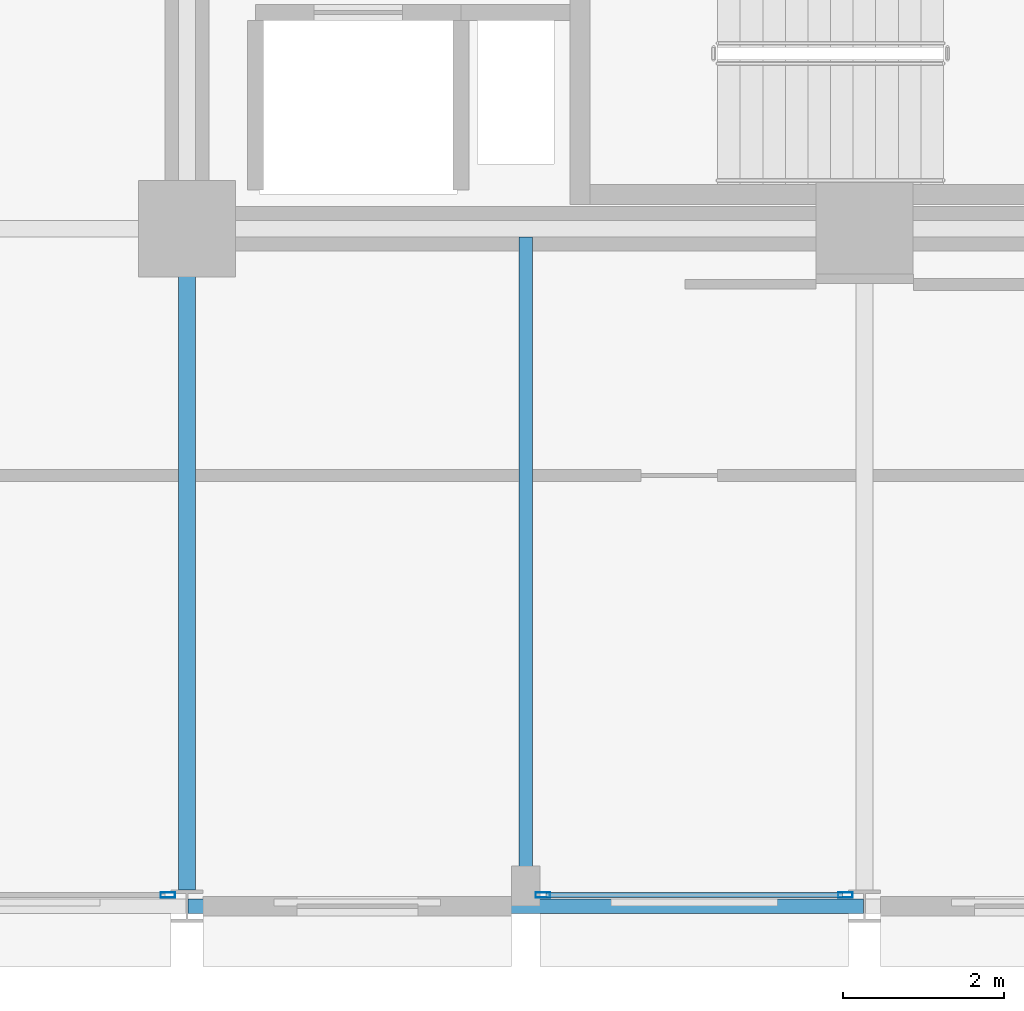
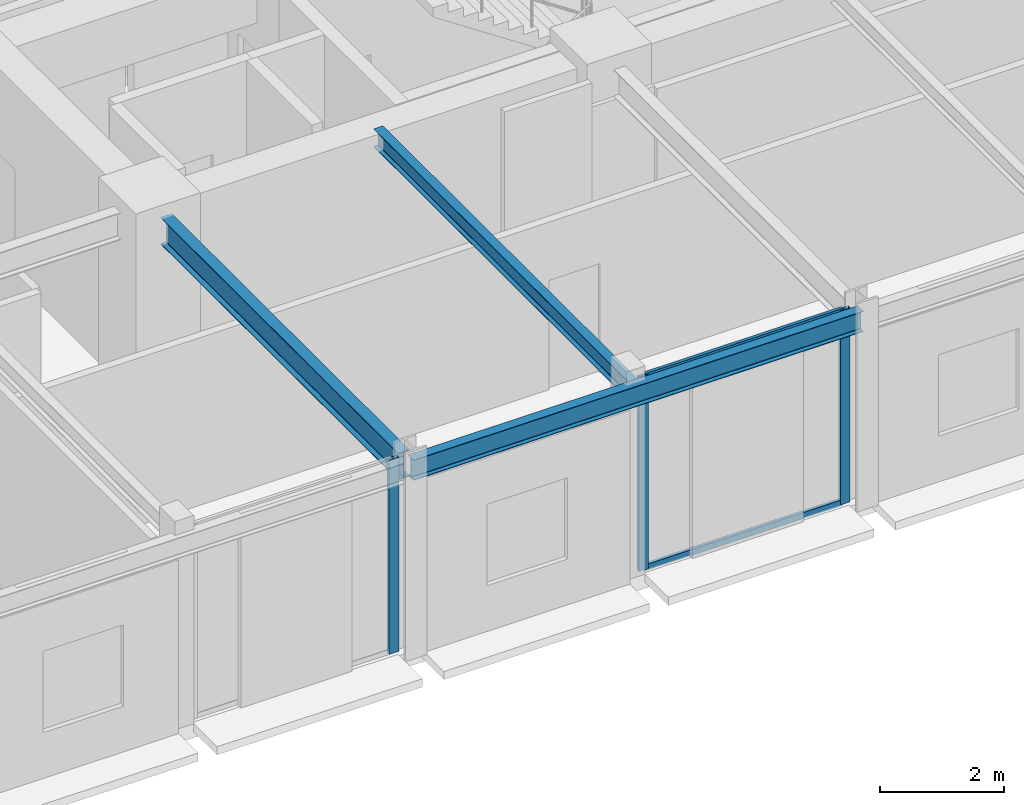
# One storey, part 8 of 39: 5 members, 3 beams, 2 elements without a shape of their own.
"""IFC4 building model written with IfcOpenShell, lengths in metres."""

from ifc_helpers import new_model, si_unit, direction, frame, origin, origin_2d, place, context, subcontext, project, spatial, hollow_rectangle, i_section, extrude, material, layer, layer_set, material_profile, profile_set, type_object, element, aggregate, save


model = new_model("IFC4")

# Units and contexts
model_context = context("Model", 3, precision=1e-05, world=origin(), true_north=direction((0.0, 1.0)))
body_context = subcontext(model_context, "Body", "Model", "MODEL_VIEW")
ifc_project = project(units=[si_unit("LENGTHUNIT", "METRE"), si_unit("AREAUNIT", "SQUARE_METRE"), si_unit("VOLUMEUNIT", "CUBIC_METRE"), si_unit("PLANEANGLEUNIT", "RADIAN"), si_unit("MASSUNIT", "GRAM", prefix="KILO")], contexts=[model_context])

# Site, building, storey
site_placement = place(None, origin())
site = spatial("IfcSite", under=ifc_project, at=site_placement, CompositionType="ELEMENT")
building_placement = place(site_placement, origin())
building = spatial("IfcBuilding", under=site, at=building_placement, Name="Nerrivon Quay Data Exchange", CompositionType="ELEMENT")
storey_placement = place(building_placement, frame((0.0, 0.0, 104.89990234375)))
storey = spatial("IfcBuildingStorey", under=building, at=storey_placement, Name="L24", CompositionType="ELEMENT", Elevation=104.89990234375)

# Beams
ifc_material_1 = material(Name="Steel Grade 350", Category="steel")
ifc_material_profile_1 = material_profile(ifc_material_1, i_section(OverallWidth=0.208984375, OverallDepth=0.528076171875, WebThickness=0.009521484375, FlangeThickness=0.01318359375, FilletRadius=0.013916015625, at=origin_2d()), Name="530UB82.0")
ifc_profile_set_1 = profile_set([ifc_material_profile_1], Name="Steel Grade 350")
beam_type_1 = type_object("IfcBeamType", Name="BM-G4-530UB82", PredefinedType="BEAM", material=ifc_profile_set_1)
beam_1_placement = place(storey_placement, frame((16.800048828125, 0.199951171875, 3.56103515625), z_axis=(0.0, 1.0, 0.0), x_axis=(-1.0, 0.0, 0.0)))
element("IfcBeam", 1, at=beam_1_placement, inside=storey, type_object=beam_type_1, Name="L24 NS Girder X=16.8 (0.0..8.4)", PredefinedType="BEAM", context=body_context, shape_type="SweptSolid", body=[
    extrude(i_section(OverallWidth=0.208984375, OverallDepth=0.528076171875, WebThickness=0.009521484375, FlangeThickness=0.01318359375, FilletRadius=0.013916015625, at=origin_2d()), origin(), (0.0, 0.0, 1.0), 7.66015625),
])
ifc_material_profile_2 = material_profile(ifc_material_1, i_section(OverallWidth=0.1708984375, OverallDepth=0.35595703125, WebThickness=0.00732421875, FlangeThickness=0.011474609375, FilletRadius=0.011474609375, at=origin_2d()), Name="360UB50.7")
ifc_profile_set_2 = profile_set([ifc_material_profile_2], Name="Steel Grade 350")
beam_type_2 = type_object("IfcBeamType", Name="BM-J4-360UB51", PredefinedType="JOIST", material=ifc_profile_set_2)
beam_2_placement = place(storey_placement, frame((21.0, 0.089111328125, 3.647216796875), z_axis=(0.0, 1.0, 0.0), x_axis=(-1.0, 0.0, 0.0)))
element("IfcBeam", 2, at=beam_2_placement, inside=storey, type_object=beam_type_2, Name="L24 Secondary Joist X=21.0 (0.0..8.4)", PredefinedType="JOIST", context=body_context, shape_type="SweptSolid", body=[
    extrude(i_section(OverallWidth=0.1708984375, OverallDepth=0.35595703125, WebThickness=0.00732421875, FlangeThickness=0.011474609375, FilletRadius=0.011474609375, at=origin_2d()), origin(), (0.0, 0.0, 1.0), 8.206298828125),
])
ifc_material_profile_3 = material_profile(ifc_material_1, i_section(OverallWidth=0.177978515625, OverallDepth=0.403076171875, WebThickness=0.007568359375, FlangeThickness=0.010986328125, FilletRadius=0.011474609375, at=origin_2d()), Name="410UB53.7")
ifc_profile_set_3 = profile_set([ifc_material_profile_3], Name="Steel Grade 350")
beam_type_3 = type_object("IfcBeamType", Name="BM-SP2-410UB54", PredefinedType="SPANDREL", material=ifc_profile_set_3)
beam_3_placement = place(storey_placement, frame((16.8125, 0.0, 3.62353515625), z_axis=(1.0, 0.0, 0.0), x_axis=(0.0, 1.0, 0.0)))
element("IfcBeam", 3, at=beam_3_placement, inside=storey, type_object=beam_type_3, Name="L24 EW Girder Y=0.0 (16.8..25.2)", PredefinedType="SPANDREL", context=body_context, shape_type="SweptSolid", body=[
    extrude(i_section(OverallWidth=0.177978515625, OverallDepth=0.403076171875, WebThickness=0.007568359375, FlangeThickness=0.010986328125, FilletRadius=0.011474609375, at=origin_2d()), origin(), (0.0, 0.0, 1.0), 8.375),
])

# Curtain wall, members
ifc_material_2 = material(Name="Anodised aluminium 6063-T6", Category="aluminium")
ifc_layer = layer(ifc_material_2, 0.2099609375)
ifc_layer_set = layer_set([ifc_layer], Name="Anodised aluminium 6063-T6")
curtain_wall_type = type_object("IfcCurtainWallType", Name="CW-SYS-02", PredefinedType="NOTDEFINED", material=ifc_layer_set)
curtain_wall_1_placement = place(storey_placement, origin())
curtain_wall_1 = element("IfcCurtainWall", 4, at=curtain_wall_1_placement, inside=storey, type_object=curtain_wall_type, Name="L24 Unitised Curtain Wall 10", PredefinedType="NOTDEFINED")
ifc_material_profile_4 = material_profile(ifc_material_2, hollow_rectangle(XDim=0.06494140625, YDim=0.179931640625, WallThickness=0.00341796875, at=origin_2d()), Name="ALU-MULL-180x65")
ifc_profile_set_4 = profile_set([ifc_material_profile_4], Name="Anodised aluminium 6063-T6")
member_type_1 = type_object("IfcMemberType", Name="CWM-180x65", PredefinedType="MULLION", material=ifc_profile_set_4)
member_1_placement = place(storey_placement, frame((24.96240234375, 0.139892578125, 0.0), z_axis=(0.0, 0.0, 1.0), x_axis=(0.0, -1.0, 0.0)))
member_1 = element("IfcMember", 5, at=member_1_placement, type_object=member_type_1, Name="CW02 mullion 1", PredefinedType="MULLION", context=body_context, shape_type="SweptSolid", body=[
    extrude(hollow_rectangle(XDim=0.06494140625, YDim=0.179931640625, WallThickness=0.00341796875, at=origin_2d()), origin(), (0.0, 0.0, 1.0), 3.8251953125),
])
member_2_placement = place(storey_placement, frame((21.21240234375, 0.139892578125, 0.0), z_axis=(0.0, 0.0, 1.0), x_axis=(0.0, -1.0, 0.0)))
member_2 = element("IfcMember", 6, at=member_2_placement, type_object=member_type_1, Name="CW02 mullion 2", PredefinedType="MULLION", context=body_context, shape_type="SweptSolid", body=[
    extrude(hollow_rectangle(XDim=0.06494140625, YDim=0.179931640625, WallThickness=0.00341796875, at=origin_2d()), origin(), (0.0, 0.0, 1.0), 3.8251953125),
])

# Curtain wall, member
curtain_wall_2_placement = place(storey_placement, origin())
curtain_wall_2 = element("IfcCurtainWall", 7, at=curtain_wall_2_placement, inside=storey, type_object=curtain_wall_type, Name="L24 Unitised Curtain Wall 12", PredefinedType="NOTDEFINED")
member_3_placement = place(storey_placement, frame((16.5625, 0.139892578125, 0.0), z_axis=(0.0, 0.0, 1.0), x_axis=(0.0, -1.0, 0.0)))
member_3 = element("IfcMember", 8, at=member_3_placement, type_object=member_type_1, Name="CW02 mullion 1", PredefinedType="MULLION", context=body_context, shape_type="SweptSolid", body=[
    extrude(hollow_rectangle(XDim=0.06494140625, YDim=0.179931640625, WallThickness=0.00341796875, at=origin_2d()), origin(), (0.0, 0.0, 1.0), 3.8251953125),
])
aggregate(curtain_wall_2, [member_3])

# Member
ifc_material_profile_5 = material_profile(ifc_material_2, hollow_rectangle(XDim=0.06005859375, YDim=0.1201171875, WallThickness=0.003173828125, at=origin_2d()), Name="ALU-TRAN-120x60")
ifc_profile_set_5 = profile_set([ifc_material_profile_5], Name="Anodised aluminium 6063-T6")
member_type_2 = type_object("IfcMemberType", Name="CWT-120x60", PredefinedType="USERDEFINED", material=ifc_profile_set_5)
member_4_placement = place(storey_placement, frame((24.925048828125, 0.139892578125, 0.03271484375), z_axis=(-1.0, 0.0, 0.0), x_axis=(0.0, -1.0, 0.0)))
member_4 = element("IfcMember", 9, at=member_4_placement, type_object=member_type_2, Name="CW02 transom 1.1", ObjectType="TRANSOM", PredefinedType="USERDEFINED", context=body_context, shape_type="SweptSolid", body=[
    extrude(hollow_rectangle(XDim=0.06005859375, YDim=0.1201171875, WallThickness=0.003173828125, at=origin_2d()), origin(), (0.0, 0.0, 1.0), 3.675048828125),
])

member_5_placement = place(storey_placement, frame((24.925048828125, 0.139892578125, 3.79248046875), z_axis=(-1.0, 0.0, 0.0), x_axis=(0.0, -1.0, 0.0)))
member_5 = element("IfcMember", 10, at=member_5_placement, type_object=member_type_2, Name="CW02 transom 1.2", ObjectType="TRANSOM", PredefinedType="USERDEFINED", context=body_context, shape_type="SweptSolid", body=[
    extrude(hollow_rectangle(XDim=0.06005859375, YDim=0.1201171875, WallThickness=0.003173828125, at=origin_2d()), origin(), (0.0, 0.0, 1.0), 3.675048828125),
])

aggregate(curtain_wall_1, [member_1, member_2, member_4, member_5])

save(model, "model.ifc")
